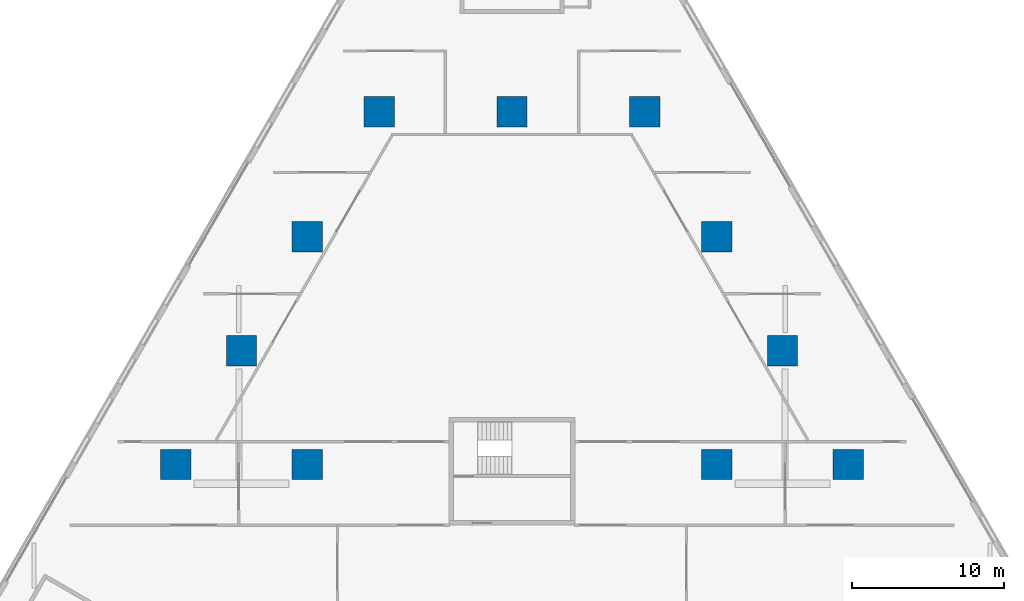
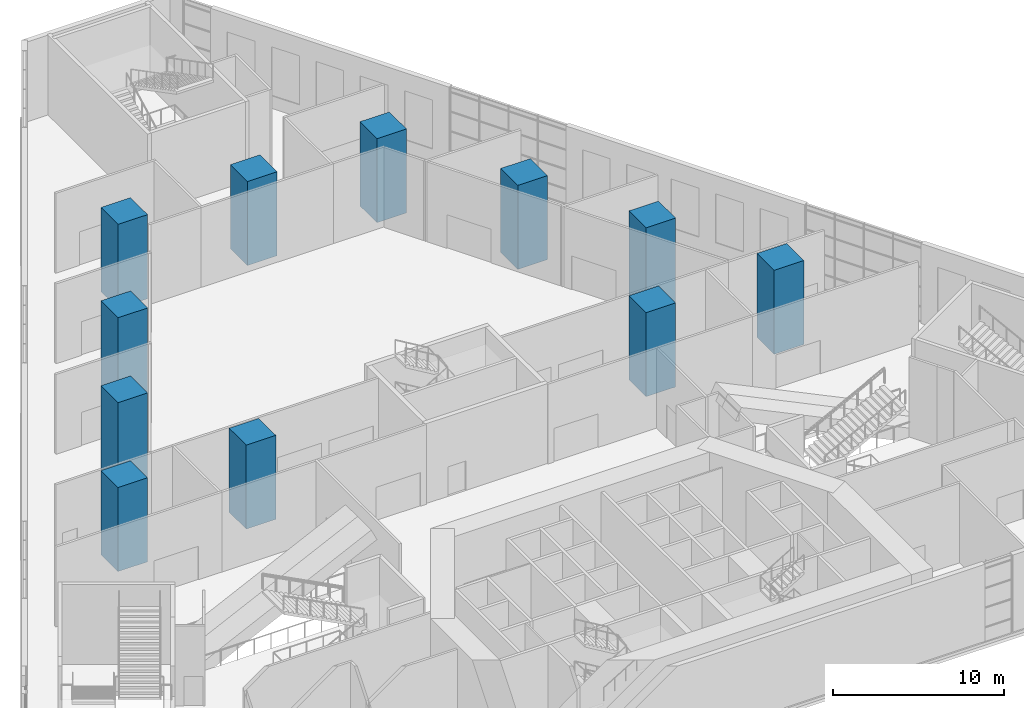
# One storey, part 1 of 27: 11 columns.
"""IFC4 building model written with IfcOpenShell, lengths in metres."""

from ifc_helpers import new_model, si_unit, direction, frame, origin, origin_2d, place, context, subcontext, project, spatial, rectangle, extrude, material, material_profile, profile_set, type_object, element, save


model = new_model("IFC4")

# Units and contexts
model_context = context("Model", 3, precision=1e-05, world=origin(), true_north=direction((0.0, 1.0)))
body_context = subcontext(model_context, "Body", "Model", "MODEL_VIEW")
ifc_project = project(units=[si_unit("LENGTHUNIT", "METRE"), si_unit("AREAUNIT", "SQUARE_METRE"), si_unit("VOLUMEUNIT", "CUBIC_METRE"), si_unit("PLANEANGLEUNIT", "RADIAN"), si_unit("MASSUNIT", "GRAM", prefix="KILO")], contexts=[model_context])

# Site, building, storey
site_placement = place(None, origin())
site = spatial("IfcSite", under=ifc_project, at=site_placement, CompositionType="ELEMENT")
building_placement = place(site_placement, origin())
building = spatial("IfcBuilding", under=site, at=building_placement, Name="Fogline Exchange Tower", CompositionType="ELEMENT")
storey_placement = place(building_placement, frame((0.0, 0.0, 8.0)))
storey = spatial("IfcBuildingStorey", under=building, at=storey_placement, Name="L01", CompositionType="ELEMENT", Elevation=8.0)

# Columns
ifc_material = material(Name="Concrete C80", Category="concrete")
ifc_material_profile = material_profile(ifc_material, rectangle(XDim=2.0, YDim=2.0, at=origin_2d()), Name="RC 2000x2000")
ifc_profile_set = profile_set([ifc_material_profile], Name="Concrete C80")
column_type = type_object("IfcColumnType", Name="MC02", PredefinedType="COLUMN", material=ifc_profile_set)
for number, where, z_axis, x_axis, name in (
    (1, (-8.739990234375, 56.0, 0.0), (0.0, 0.0, 1.0), (1.0, 0.0, 0.0), "M01"),
    (2, (8.739990234375, 56.0, 0.0), (0.0, 0.0, 1.0), (1.0, 0.0, 0.0), "M02"),
    (3, (22.157958984375, 32.760009765625, 0.0), (0.0, 0.0, 1.0), (1.0, 0.0, 0.0), "M03"),
    (4, (-22.157958984375, 32.760009765625, 0.0), (0.0, 0.0, 1.0), (1.0, 0.0, 0.0), "M04"),
    (5, (-13.5, 47.756103515625, 0.0), (0.0, 0.0, 1.0), (1.0, 0.0, 0.0), "M05"),
    (6, (-13.5, 32.760009765625, 0.0), (0.0, 0.0, 1.0), (1.0, 0.0, 0.0), "M06"),
    (7, (0.0, 56.0, 0.0), (0.0, 0.0, 1.0), (1.0, 0.0, 0.0), "M07"),
    (8, (13.5, 47.756103515625, 0.0), (0.0, 0.0, 1.0), (1.0, 0.0, 0.0), "M08"),
    (9, (13.5, 32.760009765625, 0.0), (0.0, 0.0, 1.0), (1.0, 0.0, 0.0), "M09"),
    (10, (17.8291015625, 40.258056640625, 0.0), (0.0, 0.0, 1.0), (1.0, 0.0, 0.0), "M10"),
    (11, (-17.8291015625, 40.258056640625, 0.0), (0.0, 0.0, 1.0), (1.0, 0.0, 0.0), "M11"),
):
    element("IfcColumn", number, at=place(storey_placement, frame(where, z_axis=z_axis, x_axis=x_axis)), inside=storey, type_object=column_type, Name=name, PredefinedType="COLUMN", context=body_context, shape_type="SweptSolid", body=[
        extrude(rectangle(XDim=2.0, YDim=2.0, at=origin_2d()), origin(), (0.0, 0.0, 1.0), 6.0),
    ])

save(model, "model.ifc")
